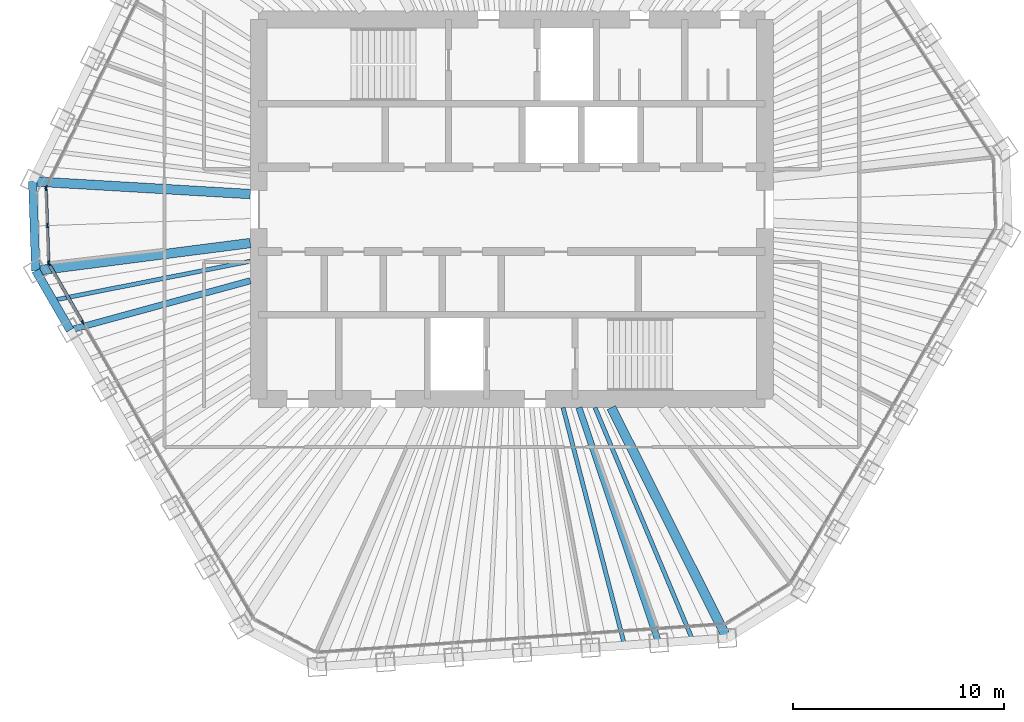
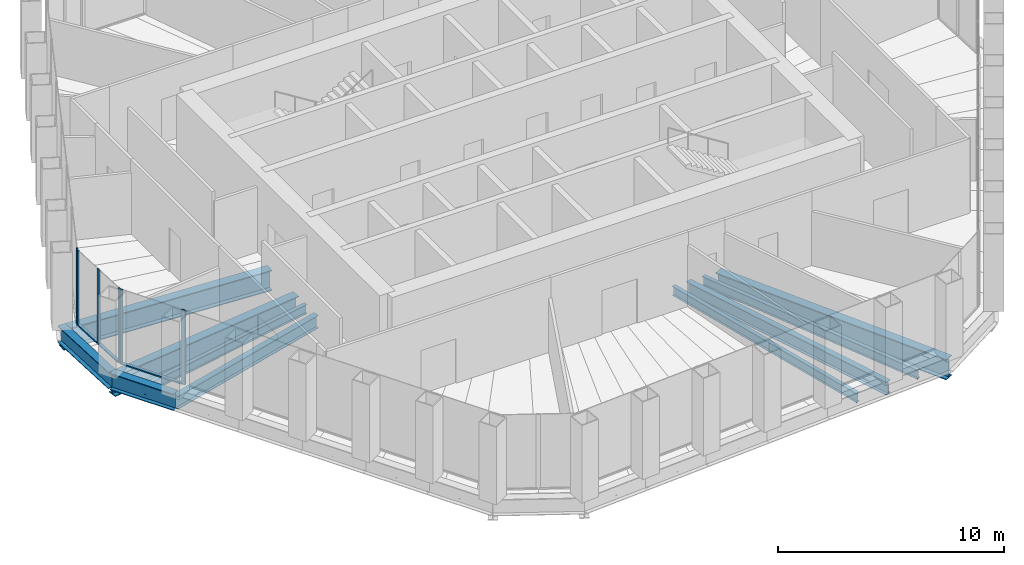
# One storey, part 3 of 14: 10 beams, 9 members, 3 elements without a shape of their own.
"""IFC4 building model written with IfcOpenShell, lengths in metres."""

import ifcopenshell
import ifcopenshell.guid

model = None  # the IFC model being written
_history = None  # IfcOwnerHistory: only IFC2X3 demands one
_inside = {}  # id of a spatial element -> (the spatial element, [elements in it])
_under = {}  # id of a project, library or spatial element -> (it, [spatial elements below it])
_declared = {}  # id of a project -> (the project, [libraries it declares])
_typed = {}  # id of a type object -> (the type object, [elements of that type])
_made_of = {}  # id of a material, layer set ... -> (it, [elements and type objects made of it])


def new_model(schema):
    """Start an empty IFC model of exactly this schema.

    Asked for "IFC4X3", IfcOpenShell would pick the latest addendum, in which some entities
    have other attributes; the version numbers below select the first issue.
    IFC2X3 requires an IfcOwnerHistory on every rooted entity: one is made here for all.
    """
    global model, _history
    if schema == "IFC4X3":
        model = ifcopenshell.file(schema_version=(4, 3, 0, 0))
    else:
        model = ifcopenshell.file(schema=schema)
    _inside.clear()
    _under.clear()
    _declared.clear()
    _typed.clear()
    _made_of.clear()
    _history = None
    if model.schema == "IFC2X3":
        org = make("IfcOrganization", Name="unknown")
        user = make(
            "IfcPersonAndOrganization",
            ThePerson=make("IfcPerson", FamilyName="unknown"),
            TheOrganization=org,
        )
        app = make(
            "IfcApplication",
            ApplicationDeveloper=org,
            Version="unknown",
            ApplicationFullName="unknown",
            ApplicationIdentifier="unknown",
        )
        _history = make(
            "IfcOwnerHistory",
            OwningUser=user,
            OwningApplication=app,
            ChangeAction="ADDED",
            CreationDate=0,
        )
    return model


def make(cls, **values):
    """One entity of the class cls with the attributes given. An attribute that is None is left unset."""
    return model.create_entity(
        cls, **{name: value for name, value in values.items() if value is not None}
    )


def rooted(cls, **values):
    """An entity with a GlobalId (a new one), such as an element, a storey or a relation."""
    return make(cls, GlobalId=ifcopenshell.guid.new(), OwnerHistory=_history, **values)


def si_unit(unit_type, name, prefix=None):
    """IfcSIUnit, for example si_unit("LENGTHUNIT", "METRE", prefix="MILLI")."""
    return make("IfcSIUnit", UnitType=unit_type, Prefix=prefix, Name=name)


def assignment(units):
    """IfcUnitAssignment: the units of a project."""
    return None if units is None else make("IfcUnitAssignment", Units=units)


def point(xyz):
    """IfcCartesianPoint."""
    return None if xyz is None else make("IfcCartesianPoint", Coordinates=xyz)


def direction(xyz):
    """IfcDirection."""
    return None if xyz is None else make("IfcDirection", DirectionRatios=xyz)


def frame(location, z_axis=None, x_axis=None):
    """IfcAxis2Placement3D, a coordinate frame: its origin and axes. An axis left out is left unset."""
    return make(
        "IfcAxis2Placement3D",
        Location=point(location),
        Axis=direction(z_axis),
        RefDirection=direction(x_axis),
    )


def frame_2d(location, x_axis=None):
    """IfcAxis2Placement2D, a coordinate frame in the plane: its origin and x axis."""
    return make(
        "IfcAxis2Placement2D", Location=point(location), RefDirection=direction(x_axis)
    )


def origin():
    """The frame at (0, 0, 0) with its axes left unset."""
    return frame((0.0, 0.0, 0.0))


def origin_2d():
    """The frame at (0, 0) in the plane with its x axis left unset."""
    return frame_2d((0.0, 0.0))


def place(relative_to, where):
    """IfcLocalPlacement: puts the frame where relative to a parent placement (None: the world)."""
    return make(
        "IfcLocalPlacement", PlacementRelTo=relative_to, RelativePlacement=where
    )


def context(
    kind, dimensions, precision=None, world=None, true_north=None, identifier=None
):
    """IfcGeometricRepresentationContext, for example the 3D "Model" context."""
    return make(
        "IfcGeometricRepresentationContext",
        ContextIdentifier=identifier,
        ContextType=kind,
        CoordinateSpaceDimension=dimensions,
        Precision=precision,
        WorldCoordinateSystem=world,
        TrueNorth=true_north,
    )


def subcontext(parent, identifier, kind, view, scale=None):
    """IfcGeometricRepresentationSubContext, for example "Body" below "Model"."""
    return make(
        "IfcGeometricRepresentationSubContext",
        ContextIdentifier=identifier,
        ContextType=kind,
        ParentContext=parent,
        TargetScale=scale,
        TargetView=view,
    )


def project(units=None, contexts=None):
    """IfcProject with its units and contexts."""
    return rooted(
        "IfcProject",
        Name="project",
        RepresentationContexts=contexts,
        UnitsInContext=assignment(units),
    )


def spatial(cls, under=None, at=None, **own):
    """A site, building, storey or space (cls), placed at a placement, below another one or the project."""
    s = rooted(cls, ObjectPlacement=at, **own)
    if under is not None:
        _under.setdefault(under.id(), (under, []))[1].append(s)
    return s


def profile(cls, at=None, kind="AREA", **sizes):
    """A parametric profile (cls). Its sizes go by their IFC names, for example OverallWidth=200.0."""
    return make(cls, ProfileType=kind, Position=at, **sizes)


def rectangle(**sizes):
    """IfcRectangleProfileDef."""
    return profile("IfcRectangleProfileDef", **sizes)


def i_section(**sizes):
    """IfcIShapeProfileDef."""
    return profile("IfcIShapeProfileDef", **sizes)


def extrude(swept, where, along, depth):
    """IfcExtrudedAreaSolid: the profile swept, set in the frame where, extruded along a direction by depth."""
    return make(
        "IfcExtrudedAreaSolid",
        SweptArea=swept,
        Position=where,
        ExtrudedDirection=direction(along),
        Depth=depth,
    )


def shape(context_of_items, identifier, shape_type, items):
    """IfcShapeRepresentation: the items that make up one representation, for example the "Body"."""
    return make(
        "IfcShapeRepresentation",
        ContextOfItems=context_of_items,
        RepresentationIdentifier=identifier,
        RepresentationType=shape_type,
        Items=items,
    )


def material(Name=None, Category=None):
    """IfcMaterial."""
    return make("IfcMaterial", Name=Name, Category=Category)


def material_profile(
    of_material, cross_section, Name=None, Category=None, Priority=None
):
    """IfcMaterialProfile: a cross section and its material."""
    return make(
        "IfcMaterialProfile",
        Name=Name,
        Material=of_material,
        Profile=cross_section,
        Priority=Priority,
        Category=Category,
    )


def profile_set(profiles, Name=None, composite=None):
    """IfcMaterialProfileSet."""
    return make(
        "IfcMaterialProfileSet",
        Name=Name,
        MaterialProfiles=profiles,
        CompositeProfile=composite,
    )


def made_of(thing, what):
    """Note that an element or type object is made of a material, layer set ...; save() writes the relation."""
    if what is not None:
        _made_of.setdefault(what.id(), (what, []))[1].append(thing)
    return thing


def type_object(cls, material=None, **own):
    """A type object (cls), such as IfcWallType, which elements share."""
    return made_of(rooted(cls, **own), material)


def element(
    cls,
    number,
    at=None,
    inside=None,
    cuts=None,
    type_object=None,
    material=None,
    context=None,
    identifier="Body",
    shape_type=None,
    held_by="IfcProductDefinitionShape",
    body=None,
    shapes=None,
    **own,
):
    """One element of the class cls, such as IfcWall. Its Tag is "e" and its number.

    at: its placement. inside: the storey or other place that contains it. cuts: it is an
    opening in that element (IfcRelVoidsElement). A single representation is given by context,
    identifier, shape_type and body (its items); several are given by shapes. held_by: the class
    of the entity that holds the representations. save() writes the other relations.
    """
    e = rooted(cls, Tag="e%d" % number, ObjectPlacement=at, **own)
    if body is not None:
        shapes = [shape(context, identifier, shape_type, body)]
    if shapes is not None:
        e.Representation = make(held_by, Representations=shapes)
    if inside is not None:
        _inside.setdefault(inside.id(), (inside, []))[1].append(e)
    if cuts is not None:
        rooted(
            "IfcRelVoidsElement", RelatingBuildingElement=cuts, RelatedOpeningElement=e
        )
    if type_object is not None:
        _typed.setdefault(type_object.id(), (type_object, []))[1].append(e)
    return made_of(e, material)


def aggregate(whole, parts):
    """IfcRelAggregates: a whole, such as a stair, and the parts it consists of."""
    return rooted("IfcRelAggregates", RelatingObject=whole, RelatedObjects=parts)


def save(model, path):
    """Write the relations noted so far, then the file.

    IfcRelAggregates (storeys below a building ...), IfcRelContainedInSpatialStructure (elements
    in a storey), IfcRelDefinesByType, IfcRelAssociatesMaterial and IfcRelDeclares: one each for
    every whole, place, type object, material and project.
    """
    for whole, parts in _under.values():
        aggregate(whole, parts)
    for where, things in _inside.values():
        rooted(
            "IfcRelContainedInSpatialStructure",
            RelatedElements=things,
            RelatingStructure=where,
        )
    for kind, things in _typed.values():
        rooted("IfcRelDefinesByType", RelatedObjects=things, RelatingType=kind)
    for what, things in _made_of.values():
        rooted("IfcRelAssociatesMaterial", RelatedObjects=things, RelatingMaterial=what)
    for by, libraries in _declared.values():
        rooted("IfcRelDeclares", RelatingContext=by, RelatedDefinitions=libraries)
    model.write(path)


model = new_model("IFC4")

# Units and contexts
model_context = context("Model", 3, precision=1e-05, world=origin(), true_north=direction((0.0, 1.0)))
body_context = subcontext(model_context, "Body", "Model", "MODEL_VIEW")
ifc_project = project(units=[si_unit("LENGTHUNIT", "METRE"), si_unit("AREAUNIT", "SQUARE_METRE"), si_unit("VOLUMEUNIT", "CUBIC_METRE"), si_unit("PLANEANGLEUNIT", "RADIAN"), si_unit("MASSUNIT", "GRAM", prefix="KILO")], contexts=[model_context])

# Site, building, storey
site_placement = place(None, origin())
site = spatial("IfcSite", under=ifc_project, at=site_placement, CompositionType="ELEMENT")
building_placement = place(site_placement, origin())
building = spatial("IfcBuilding", under=site, at=building_placement, Name="Qingtian Harvest Tower", CompositionType="ELEMENT")
storey_placement = place(building_placement, frame((0.0, 0.0, 316.60009765625)))
storey = spatial("IfcBuildingStorey", under=building, at=storey_placement, Name="L70", CompositionType="ELEMENT", Elevation=316.60009765625)

# Beams
ifc_material_1 = material(Name="Steel SM570MC", Category="steel")
ifc_material_profile_1 = material_profile(ifc_material_1, i_section(OverallWidth=0.449951171875, OverallDepth=1.10009765625, WebThickness=0.02197265625, FlangeThickness=0.044921875, at=origin_2d()), Name="H1100x450x22x45")
ifc_profile_set_1 = profile_set([ifc_material_profile_1], Name="Steel SM570MC")
beam_type_1 = type_object("IfcBeamType", Name="Corner floor beam FB8 H1100x450x22x45", PredefinedType="BEAM", material=ifc_profile_set_1)
beam_1_placement = place(storey_placement, frame((10.20947265625, -20.33740234375, -0.72021484375), z_axis=(-0.448649335107, 0.893707879627, 0.0), x_axis=(-0.893707879627, -0.448649335107, 0.0)))
element("IfcBeam", 1, at=beam_1_placement, inside=storey, type_object=beam_type_1, Name="Floor beam FB8 S0", PredefinedType="BEAM", context=body_context, shape_type="SweptSolid", body=[
    extrude(i_section(OverallWidth=0.449951171875, OverallDepth=1.10009765625, WebThickness=0.02197265625, FlangeThickness=0.044921875, at=origin_2d()), origin(), (0.0, 0.0, 1.0), 12.23828125),
])
beam_2_placement = place(storey_placement, frame((-22.569580078125, -2.908447265625, -0.72021484375), z_axis=(0.991798519758, 0.127811174026, 0.0), x_axis=(-0.127811174026, 0.991798519758, 0.0)))
element("IfcBeam", 2, at=beam_2_placement, inside=storey, type_object=beam_type_1, Name="Floor beam FB8 SW6", PredefinedType="BEAM", context=body_context, shape_type="SweptSolid", body=[
    extrude(i_section(OverallWidth=0.449951171875, OverallDepth=1.10009765625, WebThickness=0.02197265625, FlangeThickness=0.044921875, at=origin_2d()), origin(), (0.0, 0.0, 1.0), 10.253662109375),
])
beam_3_placement = place(storey_placement, frame((-22.71728515625, 1.3271484375, -0.72021484375), z_axis=(0.998297672445, -0.058324584791, 0.0), x_axis=(0.058324584791, 0.998297672445, 0.0)))
element("IfcBeam", 3, at=beam_3_placement, inside=storey, type_object=beam_type_1, Name="Floor beam FB8 NW0", PredefinedType="BEAM", context=body_context, shape_type="SweptSolid", body=[
    extrude(i_section(OverallWidth=0.449951171875, OverallDepth=1.10009765625, WebThickness=0.02197265625, FlangeThickness=0.044921875, at=origin_2d()), origin(), (0.0, 0.0, 1.0), 10.3349609375),
])
ifc_material_2 = material(Name="Steel SN490B", Category="steel")
ifc_material_profile_2 = material_profile(ifc_material_2, i_section(OverallWidth=0.300048828125, OverallDepth=0.699951171875, WebThickness=0.012939453125, FlangeThickness=0.02392578125, at=origin_2d()), Name="H700x300x13x24")
ifc_profile_set_2 = profile_set([ifc_material_profile_2], Name="Steel SN490B")
beam_type_2 = type_object("IfcBeamType", Name="Floor beam FB4 H700x300x13x24", PredefinedType="BEAM", material=ifc_profile_set_2)
beam_4_placement = place(storey_placement, frame((6.96923828125, -20.56396484375, -0.52001953125), z_axis=(-0.320964658262, 0.947091172035, 0.0), x_axis=(-0.947091172035, -0.320964658262, 0.0)))
element("IfcBeam", 4, at=beam_4_placement, inside=storey, type_object=beam_type_2, Name="Floor beam FB4 S1", PredefinedType="BEAM", context=body_context, shape_type="SweptSolid", body=[
    extrude(i_section(OverallWidth=0.300048828125, OverallDepth=0.699951171875, WebThickness=0.012939453125, FlangeThickness=0.02392578125, at=origin_2d()), origin(), (0.0, 0.0, 1.0), 11.787841796875),
])
beam_5_placement = place(storey_placement, frame((-20.945556640625, -5.721435546875, -0.52001953125), z_axis=(0.96466071762, 0.26349516102, 0.0), x_axis=(-0.26349516102, 0.96466071762, 0.0)))
element("IfcBeam", 5, at=beam_5_placement, inside=storey, type_object=beam_type_2, Name="Floor beam FB4 SW5", PredefinedType="BEAM", context=body_context, shape_type="SweptSolid", body=[
    extrude(i_section(OverallWidth=0.300048828125, OverallDepth=0.699951171875, WebThickness=0.012939453125, FlangeThickness=0.02392578125, at=origin_2d()), origin(), (0.0, 0.0, 1.0), 8.858642578125),
])
ifc_material_3 = material(Name="Steel SN490B", Category="steel")
ifc_material_profile_3 = material_profile(ifc_material_3, i_section(OverallWidth=0.199951171875, OverallDepth=0.5, WebThickness=0.010009765625, FlangeThickness=0.01611328125, at=origin_2d()), Name="H500x200x10x16")
ifc_profile_set_3 = profile_set([ifc_material_profile_3], Name="Steel SN490B")
beam_type_3 = type_object("IfcBeamType", Name="Floor joist J3 H500x200x10x16", PredefinedType="JOIST", material=ifc_profile_set_3)
beam_6_placement = place(storey_placement, frame((8.58935546875, -20.45068359375, -0.420166015625), z_axis=(-0.387234562114, 0.921981232946, 0.0), x_axis=(-0.921981232946, -0.387234562114, 0.0)))
element("IfcBeam", 6, at=beam_6_placement, inside=storey, type_object=beam_type_3, Name="Floor joist J3 S0", PredefinedType="JOIST", context=body_context, shape_type="SweptSolid", body=[
    extrude(i_section(OverallWidth=0.199951171875, OverallDepth=0.5, WebThickness=0.010009765625, FlangeThickness=0.01611328125, at=origin_2d()), origin(), (0.0, 0.0, 1.0), 11.98583984375),
])
beam_7_placement = place(storey_placement, frame((5.349365234375, -20.67724609375, -0.420166015625), z_axis=(-0.250457336117, 0.968127637652, 0.0), x_axis=(-0.968127637652, -0.250457336117, 0.0)))
element("IfcBeam", 7, at=beam_7_placement, inside=storey, type_object=beam_type_3, Name="Floor joist J3 S1", PredefinedType="JOIST", context=body_context, shape_type="SweptSolid", body=[
    extrude(i_section(OverallWidth=0.199951171875, OverallDepth=0.5, WebThickness=0.010009765625, FlangeThickness=0.01611328125, at=origin_2d()), origin(), (0.0, 0.0, 1.0), 11.648681640625),
])
beam_8_placement = place(storey_placement, frame((-21.757568359375, -4.31494140625, -0.420166015625), z_axis=(0.980898289228, 0.194521325796, 0.0), x_axis=(-0.194521325796, 0.980898289228, 0.0)))
element("IfcBeam", 8, at=beam_8_placement, inside=storey, type_object=beam_type_3, Name="Floor joist J3 SW5", PredefinedType="JOIST", context=body_context, shape_type="SweptSolid", body=[
    extrude(i_section(OverallWidth=0.199951171875, OverallDepth=0.5, WebThickness=0.010009765625, FlangeThickness=0.01611328125, at=origin_2d()), origin(), (0.0, 0.0, 1.0), 9.539794921875),
])

# Curtain wall, members
ifc_material_4 = material(Name="Bronze-anodised aluminium curtain wall", Category="aluminium")
curtain_wall_type = type_object("IfcCurtainWallType", Name="Curtain wall CW5 upper office", PredefinedType="USERDEFINED", material=ifc_material_4)
curtain_wall_1_placement = place(storey_placement, origin())
curtain_wall_1 = element("IfcCurtainWall", 9, at=curtain_wall_1_placement, inside=storey, type_object=curtain_wall_type, Name="Curtain wall CW5 L70 SW0-5", ObjectType="RECESSED CURTAIN WALL", PredefinedType="USERDEFINED")
ifc_material_5 = material(Name="Bronze-anodised aluminium mullion", Category="aluminium")
ifc_material_profile_4 = material_profile(ifc_material_5, rectangle(XDim=0.06494140625, YDim=0.199951171875, at=origin_2d()), Name="AL 65x200")
ifc_profile_set_4 = profile_set([ifc_material_profile_4], Name="Bronze-anodised aluminium mullion")
member_type_1 = type_object("IfcMemberType", Name="Mullion CWM 65x200", PredefinedType="MULLION", material=ifc_profile_set_4)
member_1_placement = place(storey_placement, frame((-20.33935546875, -5.371337890625, 0.0), z_axis=(0.0, 0.0, 1.0), x_axis=(-0.866025403784, -0.5, 0.0)))
member_1 = element("IfcMember", 10, at=member_1_placement, type_object=member_type_1, Name="CW5 mullion 6", PredefinedType="MULLION", context=body_context, shape_type="SweptSolid", body=[
    extrude(rectangle(XDim=0.06494140625, YDim=0.199951171875, at=origin_2d()), origin(), (0.0, 0.0, 1.0), 4.02978515625),
])
member_2_placement = place(storey_placement, frame((-21.947021484375, -2.586669921875, 0.0), z_axis=(0.0, 0.0, 1.0), x_axis=(-0.866025403784, -0.5, 0.0)))
member_2 = element("IfcMember", 11, at=member_2_placement, type_object=member_type_1, Name="CW5 mullion 7", PredefinedType="MULLION", context=body_context, shape_type="SweptSolid", body=[
    extrude(rectangle(XDim=0.06494140625, YDim=0.199951171875, at=origin_2d()), origin(), (0.0, 0.0, 1.0), 4.02978515625),
])

curtain_wall_2_placement = place(storey_placement, origin())
curtain_wall_2 = element("IfcCurtainWall", 12, at=curtain_wall_2_placement, inside=storey, type_object=curtain_wall_type, Name="Curtain wall CW5 L70 SWC", ObjectType="RECESSED CURTAIN WALL", PredefinedType="USERDEFINED")
member_3_placement = place(storey_placement, frame((-21.96435546875, -2.526123046875, 0.0), z_axis=(0.0, 0.0, 1.0), x_axis=(-0.999390827019, -0.034899496703, 0.0)))
member_3 = element("IfcMember", 13, at=member_3_placement, type_object=member_type_1, Name="CW5 mullion 1", PredefinedType="MULLION", context=body_context, shape_type="SweptSolid", body=[
    extrude(rectangle(XDim=0.06494140625, YDim=0.199951171875, at=origin_2d()), origin(), (0.0, 0.0, 1.0), 4.02978515625),
])
member_4_placement = place(storey_placement, frame((-22.025634765625, -0.76904296875, 0.0), z_axis=(0.0, 0.0, 1.0), x_axis=(-0.999390827019, -0.034899496703, 0.0)))
member_4 = element("IfcMember", 14, at=member_4_placement, type_object=member_type_1, Name="CW5 mullion 2", PredefinedType="MULLION", context=body_context, shape_type="SweptSolid", body=[
    extrude(rectangle(XDim=0.06494140625, YDim=0.199951171875, at=origin_2d()), origin(), (0.0, 0.0, 1.0), 4.02978515625),
])
member_5_placement = place(storey_placement, frame((-22.087158203125, 0.98779296875, 0.0), z_axis=(0.0, 0.0, 1.0), x_axis=(-0.999390827019, -0.034899496703, 0.0)))
member_5 = element("IfcMember", 15, at=member_5_placement, type_object=member_type_1, Name="CW5 mullion 3", PredefinedType="MULLION", context=body_context, shape_type="SweptSolid", body=[
    extrude(rectangle(XDim=0.06494140625, YDim=0.199951171875, at=origin_2d()), origin(), (0.0, 0.0, 1.0), 4.02978515625),
])

# Curtain wall, member
curtain_wall_3_placement = place(storey_placement, origin())
curtain_wall_3 = element("IfcCurtainWall", 16, at=curtain_wall_3_placement, inside=storey, type_object=curtain_wall_type, Name="Curtain wall CW5 L70 NW0-5", ObjectType="RECESSED CURTAIN WALL", PredefinedType="USERDEFINED")
member_6_placement = place(storey_placement, frame((-22.073974609375, 1.04931640625, 0.0), z_axis=(0.0, 0.0, 1.0), x_axis=(-0.898794046299, 0.438371146789, 0.0)))
member_6 = element("IfcMember", 17, at=member_6_placement, type_object=member_type_1, Name="CW5 mullion 1", PredefinedType="MULLION", context=body_context, shape_type="SweptSolid", body=[
    extrude(rectangle(XDim=0.06494140625, YDim=0.199951171875, at=origin_2d()), origin(), (0.0, 0.0, 1.0), 4.02978515625),
])
aggregate(curtain_wall_3, [member_6])

# Beams
ifc_material_6 = material(Name="Steel SN490B", Category="steel")
ifc_material_profile_5 = material_profile(ifc_material_6, i_section(OverallWidth=0.39990234375, OverallDepth=0.89990234375, WebThickness=0.01904296875, FlangeThickness=0.035888671875, at=origin_2d()), Name="H900x400x19x36")
ifc_profile_set_5 = profile_set([ifc_material_profile_5], Name="Steel SN490B")
beam_type_4 = type_object("IfcBeamType", Name="Spandrel beam SB4 H900x400x19x36", PredefinedType="SPANDREL", material=ifc_profile_set_5)
beam_9_placement = place(storey_placement, frame((-20.945556640625, -5.721435546875, -0.4501953125), z_axis=(-0.499987045439, 0.866032882975, 0.0), x_axis=(-0.866032882975, -0.499987045439, 0.0)))
element("IfcBeam", 18, at=beam_9_placement, inside=storey, type_object=beam_type_4, Name="Spandrel SB4 SW5", PredefinedType="SPANDREL", context=body_context, shape_type="SweptSolid", body=[
    extrude(i_section(OverallWidth=0.39990234375, OverallDepth=0.89990234375, WebThickness=0.01904296875, FlangeThickness=0.035888671875, at=origin_2d()), origin(), (0.0, 0.0, 1.0), 3.248046875),
])
beam_10_placement = place(storey_placement, frame((-22.569580078125, -2.908447265625, -0.4501953125), z_axis=(-0.034851142499, 0.999392514414, 0.0), x_axis=(-0.999392514414, -0.034851142499, 0.0)))
element("IfcBeam", 19, at=beam_10_placement, inside=storey, type_object=beam_type_4, Name="Spandrel SB4 SWC", PredefinedType="SPANDREL", context=body_context, shape_type="SweptSolid", body=[
    extrude(i_section(OverallWidth=0.39990234375, OverallDepth=0.89990234375, WebThickness=0.01904296875, FlangeThickness=0.035888671875, at=origin_2d()), origin(), (0.0, 0.0, 1.0), 4.23828125),
])

# Member
ifc_material_7 = material(Name="Bronze-anodised aluminium transom", Category="aluminium")
ifc_material_profile_6 = material_profile(ifc_material_7, rectangle(XDim=0.14990234375, YDim=0.06494140625, at=origin_2d()), Name="AL 65x150")
ifc_profile_set_6 = profile_set([ifc_material_profile_6], Name="Bronze-anodised aluminium transom")
member_type_2 = type_object("IfcMemberType", Name="Transom CWT 65x150", PredefinedType="USERDEFINED", material=ifc_profile_set_6)
member_7_placement = place(storey_placement, frame((-20.35546875, -5.34326171875, 0.032470703125), z_axis=(-0.499972881236, 0.866041060244, 0.0), x_axis=(-0.866041060244, -0.499972881236, 0.0)))
member_7 = element("IfcMember", 20, at=member_7_placement, type_object=member_type_2, Name="CW5 transom 6.1", ObjectType="TRANSOM", PredefinedType="USERDEFINED", context=body_context, shape_type="SweptSolid", body=[
    extrude(rectangle(XDim=0.14990234375, YDim=0.06494140625, at=origin_2d()), origin(), (0.0, 0.0, 1.0), 3.150634765625),
])

aggregate(curtain_wall_1, [member_1, member_2, member_7])

member_8_placement = place(storey_placement, frame((-21.965576171875, -2.49365234375, 0.032470703125), z_axis=(-0.034899362377, 0.99939083171, 0.0), x_axis=(-0.99939083171, -0.034899362377, 0.0)))
member_8 = element("IfcMember", 21, at=member_8_placement, type_object=member_type_2, Name="CW5 transom 1.1", ObjectType="TRANSOM", PredefinedType="USERDEFINED", context=body_context, shape_type="SweptSolid", body=[
    extrude(rectangle(XDim=0.14990234375, YDim=0.06494140625, at=origin_2d()), origin(), (0.0, 0.0, 1.0), 1.69287109375),
])

member_9_placement = place(storey_placement, frame((-22.02685546875, -0.736572265625, 0.032470703125), z_axis=(-0.034899362377, 0.99939083171, 0.0), x_axis=(-0.99939083171, -0.034899362377, 0.0)))
member_9 = element("IfcMember", 22, at=member_9_placement, type_object=member_type_2, Name="CW5 transom 2.1", ObjectType="TRANSOM", PredefinedType="USERDEFINED", context=body_context, shape_type="SweptSolid", body=[
    extrude(rectangle(XDim=0.14990234375, YDim=0.06494140625, at=origin_2d()), origin(), (0.0, 0.0, 1.0), 1.69287109375),
])

aggregate(curtain_wall_2, [member_3, member_4, member_5, member_8, member_9])

save(model, "model.ifc")
